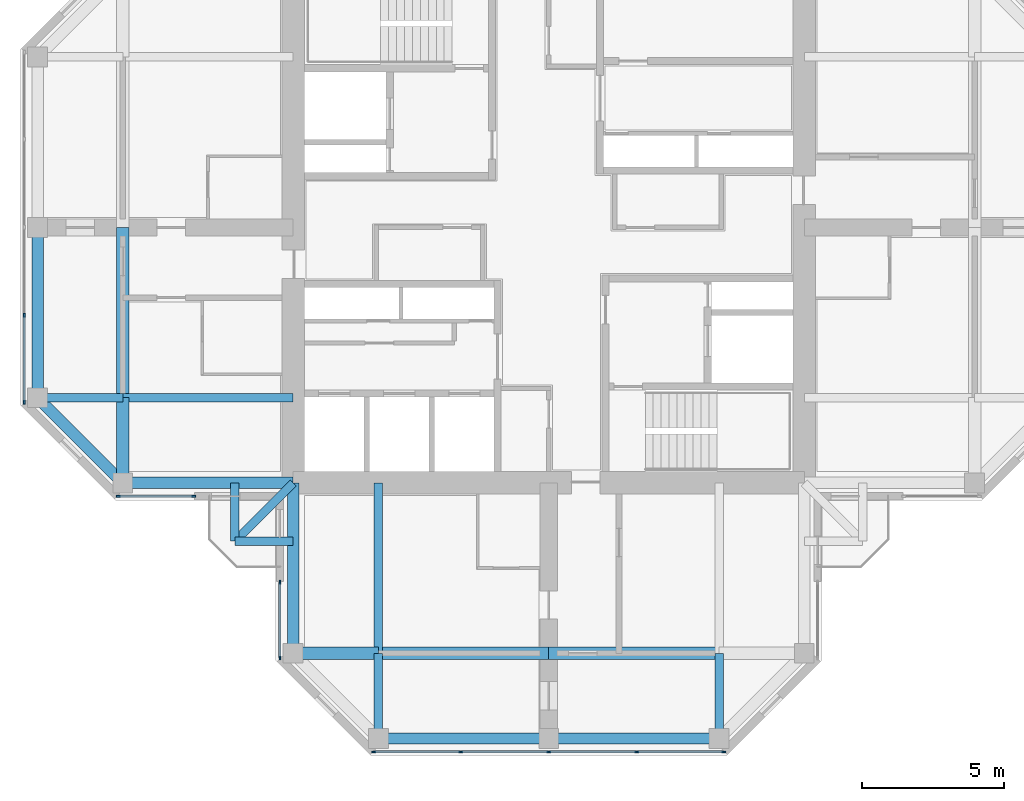
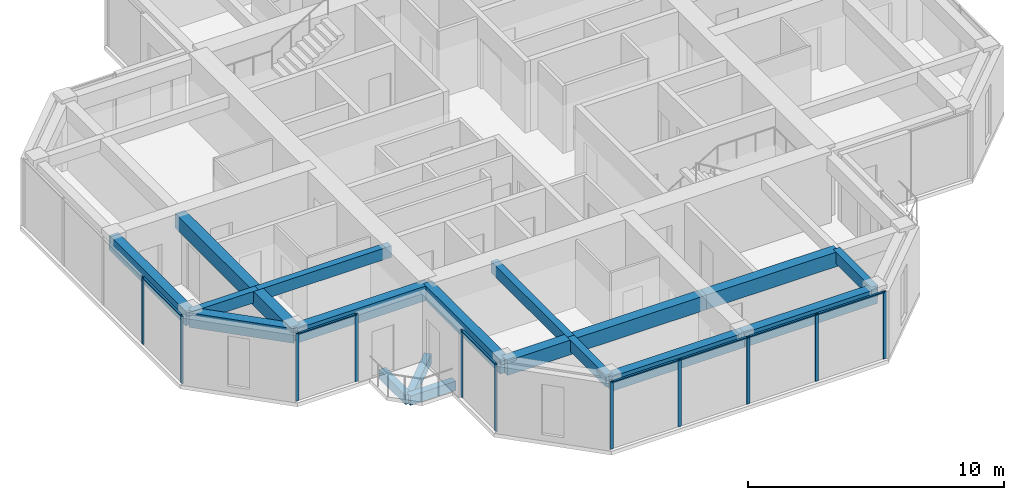
# One storey, part 2 of 13: 19 beams, 18 members, 4 elements without a shape of their own.
"""IFC4 building model written with IfcOpenShell, lengths in metres."""

from ifc_helpers import new_model, si_unit, direction, frame, origin, origin_2d, place, context, subcontext, project, spatial, rectangle, extrude, material, material_profile, profile_set, type_object, element, aggregate, save


model = new_model("IFC4")

# Units and contexts
model_context = context("Model", 3, precision=1e-05, world=origin(), true_north=direction((0.0, 1.0)))
body_context = subcontext(model_context, "Body", "Model", "MODEL_VIEW")
ifc_project = project(units=[si_unit("LENGTHUNIT", "METRE"), si_unit("AREAUNIT", "SQUARE_METRE"), si_unit("VOLUMEUNIT", "CUBIC_METRE"), si_unit("PLANEANGLEUNIT", "RADIAN"), si_unit("MASSUNIT", "GRAM", prefix="KILO")], contexts=[model_context])

# Site, building, storey
site_placement = place(None, origin())
site = spatial("IfcSite", under=ifc_project, at=site_placement, CompositionType="ELEMENT")
building_placement = place(site_placement, origin())
building = spatial("IfcBuilding", under=site, at=building_placement, Name="Torre Cruceta", CompositionType="ELEMENT")
storey_placement = place(building_placement, frame((0.0, 0.0, 271.300048828125)))
storey = spatial("IfcBuildingStorey", under=building, at=storey_placement, Name="L70", CompositionType="ELEMENT", Elevation=271.300048828125)

# Beams
ifc_material_1 = material(Name="Concrete G60 (fck 60 MPa)", Category="concrete")
ifc_material_profile_1 = material_profile(ifc_material_1, rectangle(XDim=0.300048828125, YDim=0.449951171875, at=origin_2d()), Name="RC 300X450")
ifc_profile_set_1 = profile_set([ifc_material_profile_1], Name="Concrete G60 (fck 60 MPa)")
beam_type_1 = type_object("IfcBeamType", Name="BALCONY CANTILEVER BEAM RC 300X450", PredefinedType="BEAM", material=ifc_profile_set_1)
beam_1_placement = place(storey_placement, frame((-9.0, -9.0, -0.405029296875), z_axis=(-0.707106781187, -0.707106781187, 0.0), x_axis=(0.707106781187, -0.707106781187, 0.0)))
element("IfcBeam", 1, at=beam_1_placement, inside=storey, type_object=beam_type_1, Name="BB1 balcony beam L70 W", PredefinedType="BEAM", context=body_context, shape_type="SweptSolid", body=[
    extrude(rectangle(XDim=0.300048828125, YDim=0.449951171875, at=origin_2d()), origin(), (0.0, 0.0, 1.0), 2.89990234375),
])
for number, where, z_axis, x_axis, name in (
    (2, (-11.050537109375, -9.0, -0.405029296875), (0.0, -1.0, 0.0), (1.0, 0.0, 0.0), "BB1 balcony edge beam L70 W-X"),
    (3, (-9.0, -11.050537109375, -0.405029296875), (-1.0, 0.0, 0.0), (0.0, -1.0, 0.0), "BB1 balcony edge beam L70 W-Y"),
):
    element("IfcBeam", number, at=place(storey_placement, frame(where, z_axis=z_axis, x_axis=x_axis)), inside=storey, type_object=beam_type_1, Name=name, PredefinedType="BEAM", context=body_context, shape_type="SweptSolid", body=[
        extrude(rectangle(XDim=0.300048828125, YDim=0.449951171875, at=origin_2d()), origin(), (0.0, 0.0, 1.0), 2.050537109375),
    ])
ifc_material_2 = material(Name="Concrete G60 (fck 60 MPa)", Category="concrete")
ifc_material_profile_2 = material_profile(ifc_material_2, rectangle(XDim=0.300048828125, YDim=0.550048828125, at=origin_2d()), Name="RC 300X550")
ifc_profile_set_2 = profile_set([ifc_material_profile_2], Name="Concrete G60 (fck 60 MPa)")
beam_type_2 = type_object("IfcBeamType", Name="COLUMN LINE BEAM RC 300X550", PredefinedType="BEAM", material=ifc_profile_set_2)
beam_2_placement = place(storey_placement, frame((-6.0, -9.0, 2.945068359375), z_axis=(0.0, -1.0, 0.0), x_axis=(1.0, 0.0, 0.0)))
element("IfcBeam", 4, at=beam_2_placement, inside=storey, type_object=beam_type_2, Name="LB10 L70 S col- 1", PredefinedType="BEAM", context=body_context, shape_type="SweptSolid", body=[
    extrude(rectangle(XDim=0.300048828125, YDim=0.550048828125, at=origin_2d()), origin(), (0.0, 0.0, 1.0), 6.0),
])
for number, where, z_axis, x_axis, name in (
    (5, (-6.0, -15.0, 2.945068359375), (0.0, -1.0, 0.0), (1.0, 0.0, 0.0), "LB10 L70 S col- 2"),
    (6, (6.0, -15.0, 2.945068359375), (0.0, -1.0, 0.0), (1.0, 0.0, 0.0), "LB10 L70 S col+ 2"),
):
    element("IfcBeam", number, at=place(storey_placement, frame(where, z_axis=z_axis, x_axis=x_axis)), inside=storey, type_object=beam_type_2, Name=name, PredefinedType="BEAM", context=body_context, shape_type="SweptSolid", body=[
        extrude(rectangle(XDim=0.300048828125, YDim=0.550048828125, at=origin_2d()), origin(), (0.0, 0.0, 1.0), 3.0),
    ])
beam_3_placement = place(storey_placement, frame((-9.0, -6.0, 2.945068359375), z_axis=(-1.0, 0.0, 0.0), x_axis=(0.0, -1.0, 0.0)))
element("IfcBeam", 7, at=beam_3_placement, inside=storey, type_object=beam_type_2, Name="LB10 L70 W col+ 1", PredefinedType="BEAM", context=body_context, shape_type="SweptSolid", body=[
    extrude(rectangle(XDim=0.300048828125, YDim=0.550048828125, at=origin_2d()), origin(), (0.0, 0.0, 1.0), 6.0),
])
beam_4_placement = place(storey_placement, frame((-15.0, -6.0, 2.945068359375), z_axis=(-1.0, 0.0, 0.0), x_axis=(0.0, -1.0, 0.0)))
element("IfcBeam", 8, at=beam_4_placement, inside=storey, type_object=beam_type_2, Name="LB10 L70 W col+ 2", PredefinedType="BEAM", context=body_context, shape_type="SweptSolid", body=[
    extrude(rectangle(XDim=0.300048828125, YDim=0.550048828125, at=origin_2d()), origin(), (0.0, 0.0, 1.0), 3.0),
])
ifc_material_3 = material(Name="Concrete G60 (fck 60 MPa)", Category="concrete")
ifc_material_profile_3 = material_profile(ifc_material_3, rectangle(XDim=0.449951171875, YDim=0.699951171875, at=origin_2d()), Name="RC 450X700")
ifc_profile_set_3 = profile_set([ifc_material_profile_3], Name="Concrete G60 (fck 60 MPa)")
beam_type_3 = type_object("IfcBeamType", Name="CROSS BEAM RC 450X700", PredefinedType="BEAM", material=ifc_profile_set_3)
beam_5_placement = place(storey_placement, frame((-9.0, -15.0, 2.869873046875), z_axis=(1.0, 0.0, 0.0), x_axis=(0.0, 1.0, 0.0)))
element("IfcBeam", 9, at=beam_5_placement, inside=storey, type_object=beam_type_3, Name="GB8 L70 S cross15 1", PredefinedType="BEAM", context=body_context, shape_type="SweptSolid", body=[
    extrude(rectangle(XDim=0.449951171875, YDim=0.699951171875, at=origin_2d()), origin(), (0.0, 0.0, 1.0), 3.0),
])
for number, where, z_axis, x_axis, name in (
    (10, (-6.0, -15.0, 2.869873046875), (1.0, 0.0, 0.0), (0.0, 1.0, 0.0), "GB8 L70 S cross15 2"),
    (11, (0.0, -15.0, 2.869873046875), (1.0, 0.0, 0.0), (0.0, 1.0, 0.0), "GB8 L70 S cross15 3"),
    (12, (-15.0, 0.0, 2.869873046875), (0.0, -1.0, 0.0), (1.0, 0.0, 0.0), "GB8 L70 W cross15 3"),
):
    element("IfcBeam", number, at=place(storey_placement, frame(where, z_axis=z_axis, x_axis=x_axis)), inside=storey, type_object=beam_type_3, Name=name, PredefinedType="BEAM", context=body_context, shape_type="SweptSolid", body=[
        extrude(rectangle(XDim=0.449951171875, YDim=0.699951171875, at=origin_2d()), origin(), (0.0, 0.0, 1.0), 6.0),
    ])
beam_6_placement = place(storey_placement, frame((-15.0, -6.0, 2.869873046875), z_axis=(0.0, -1.0, 0.0), x_axis=(1.0, 0.0, 0.0)))
element("IfcBeam", 13, at=beam_6_placement, inside=storey, type_object=beam_type_3, Name="GB8 L70 W cross15 4", PredefinedType="BEAM", context=body_context, shape_type="SweptSolid", body=[
    extrude(rectangle(XDim=0.449951171875, YDim=0.699951171875, at=origin_2d()), origin(), (0.0, 0.0, 1.0), 3.0),
])

# Curtain wall, members
ifc_material_4 = material(Name="Aluminium unitised curtain wall", Category="aluminium")
curtain_wall_type = type_object("IfcCurtainWallType", Name="CURTAIN WALL CW-E CO-LIVING TOP", PredefinedType="USERDEFINED", material=ifc_material_4)
curtain_wall_1_placement = place(storey_placement, origin())
curtain_wall_1 = element("IfcCurtainWall", 14, at=curtain_wall_1_placement, inside=storey, type_object=curtain_wall_type, Name="CW-E L70 W tip 12", ObjectType="UNITISED", PredefinedType="USERDEFINED")
ifc_material_5 = material(Name="Aluminium mullion", Category="aluminium")
ifc_material_profile_4 = material_profile(ifc_material_5, rectangle(XDim=0.054931640625, YDim=0.139892578125, at=origin_2d()), Name="AL 55X140")
ifc_profile_set_4 = profile_set([ifc_material_profile_4], Name="Aluminium mullion")
member_type_1 = type_object("IfcMemberType", Name="CW-E MULLION 55X140", PredefinedType="MULLION", material=ifc_profile_set_4)
member_1_placement = place(storey_placement, frame((-18.469970703125, -3.097412109375, 0.0), z_axis=(0.0, 0.0, 1.0), x_axis=(1.0, 0.0, 0.0)))
member_1 = element("IfcMember", 15, at=member_1_placement, type_object=member_type_1, Name="CW-E mullion 4", PredefinedType="MULLION", context=body_context, shape_type="SweptSolid", body=[
    extrude(rectangle(XDim=0.054931640625, YDim=0.139892578125, at=origin_2d()), origin(), (0.0, 0.0, 1.0), 3.219970703125),
])
member_2_placement = place(storey_placement, frame((-18.469970703125, -6.167236328125, 0.0), z_axis=(0.0, 0.0, 1.0), x_axis=(1.0, 0.0, 0.0)))
member_2 = element("IfcMember", 16, at=member_2_placement, type_object=member_type_1, Name="CW-E mullion 5", PredefinedType="MULLION", context=body_context, shape_type="SweptSolid", body=[
    extrude(rectangle(XDim=0.054931640625, YDim=0.139892578125, at=origin_2d()), origin(), (0.0, 0.0, 1.0), 3.219970703125),
])

curtain_wall_2_placement = place(storey_placement, origin())
curtain_wall_2 = element("IfcCurtainWall", 17, at=curtain_wall_2_placement, inside=storey, type_object=curtain_wall_type, Name="CW-E L70 W side 14", ObjectType="UNITISED", PredefinedType="USERDEFINED")
member_3_placement = place(storey_placement, frame((-15.167236328125, -9.469970703125, 0.0), z_axis=(0.0, 0.0, 1.0), x_axis=(0.0, 1.0, 0.0)))
member_3 = element("IfcMember", 18, at=member_3_placement, type_object=member_type_1, Name="CW-E mullion 1", PredefinedType="MULLION", context=body_context, shape_type="SweptSolid", body=[
    extrude(rectangle(XDim=0.054931640625, YDim=0.139892578125, at=origin_2d()), origin(), (0.0, 0.0, 1.0), 3.219970703125),
])
member_4_placement = place(storey_placement, frame((-12.49755859375, -9.469970703125, 0.0), z_axis=(0.0, 0.0, 1.0), x_axis=(0.0, 1.0, 0.0)))
member_4 = element("IfcMember", 19, at=member_4_placement, type_object=member_type_1, Name="CW-E mullion 2", PredefinedType="MULLION", context=body_context, shape_type="SweptSolid", body=[
    extrude(rectangle(XDim=0.054931640625, YDim=0.139892578125, at=origin_2d()), origin(), (0.0, 0.0, 1.0), 3.219970703125),
])

curtain_wall_3_placement = place(storey_placement, origin())
curtain_wall_3 = element("IfcCurtainWall", 20, at=curtain_wall_3_placement, inside=storey, type_object=curtain_wall_type, Name="CW-E L70 S side 15", ObjectType="UNITISED", PredefinedType="USERDEFINED")
member_5_placement = place(storey_placement, frame((-9.469970703125, -12.49755859375, 0.0), z_axis=(0.0, 0.0, 1.0), x_axis=(1.0, 0.0, 0.0)))
member_5 = element("IfcMember", 21, at=member_5_placement, type_object=member_type_1, Name="CW-E mullion 1", PredefinedType="MULLION", context=body_context, shape_type="SweptSolid", body=[
    extrude(rectangle(XDim=0.054931640625, YDim=0.139892578125, at=origin_2d()), origin(), (0.0, 0.0, 1.0), 3.219970703125),
])
member_6_placement = place(storey_placement, frame((-9.469970703125, -15.167236328125, 0.0), z_axis=(0.0, 0.0, 1.0), x_axis=(1.0, 0.0, 0.0)))
member_6 = element("IfcMember", 22, at=member_6_placement, type_object=member_type_1, Name="CW-E mullion 2", PredefinedType="MULLION", context=body_context, shape_type="SweptSolid", body=[
    extrude(rectangle(XDim=0.054931640625, YDim=0.139892578125, at=origin_2d()), origin(), (0.0, 0.0, 1.0), 3.219970703125),
])

curtain_wall_4_placement = place(storey_placement, origin())
curtain_wall_4 = element("IfcCurtainWall", 23, at=curtain_wall_4_placement, inside=storey, type_object=curtain_wall_type, Name="CW-E L70 S tip 17", ObjectType="UNITISED", PredefinedType="USERDEFINED")
member_7_placement = place(storey_placement, frame((-6.167236328125, -18.469970703125, 0.0), z_axis=(0.0, 0.0, 1.0), x_axis=(0.0, 1.0, 0.0)))
member_7 = element("IfcMember", 24, at=member_7_placement, type_object=member_type_1, Name="CW-E mullion 1", PredefinedType="MULLION", context=body_context, shape_type="SweptSolid", body=[
    extrude(rectangle(XDim=0.054931640625, YDim=0.139892578125, at=origin_2d()), origin(), (0.0, 0.0, 1.0), 3.219970703125),
])
member_8_placement = place(storey_placement, frame((-3.097412109375, -18.469970703125, 0.0), z_axis=(0.0, 0.0, 1.0), x_axis=(0.0, 1.0, 0.0)))
member_8 = element("IfcMember", 25, at=member_8_placement, type_object=member_type_1, Name="CW-E mullion 2", PredefinedType="MULLION", context=body_context, shape_type="SweptSolid", body=[
    extrude(rectangle(XDim=0.054931640625, YDim=0.139892578125, at=origin_2d()), origin(), (0.0, 0.0, 1.0), 3.219970703125),
])
member_9_placement = place(storey_placement, frame((0.0, -18.469970703125, 0.0), z_axis=(0.0, 0.0, 1.0), x_axis=(0.0, 1.0, 0.0)))
member_9 = element("IfcMember", 26, at=member_9_placement, type_object=member_type_1, Name="CW-E mullion 3", PredefinedType="MULLION", context=body_context, shape_type="SweptSolid", body=[
    extrude(rectangle(XDim=0.054931640625, YDim=0.139892578125, at=origin_2d()), origin(), (0.0, 0.0, 1.0), 3.219970703125),
])
member_10_placement = place(storey_placement, frame((3.097412109375, -18.469970703125, 0.0), z_axis=(0.0, 0.0, 1.0), x_axis=(0.0, 1.0, 0.0)))
member_10 = element("IfcMember", 27, at=member_10_placement, type_object=member_type_1, Name="CW-E mullion 4", PredefinedType="MULLION", context=body_context, shape_type="SweptSolid", body=[
    extrude(rectangle(XDim=0.054931640625, YDim=0.139892578125, at=origin_2d()), origin(), (0.0, 0.0, 1.0), 3.219970703125),
])
member_11_placement = place(storey_placement, frame((6.167236328125, -18.469970703125, 0.0), z_axis=(0.0, 0.0, 1.0), x_axis=(0.0, 1.0, 0.0)))
member_11 = element("IfcMember", 28, at=member_11_placement, type_object=member_type_1, Name="CW-E mullion 5", PredefinedType="MULLION", context=body_context, shape_type="SweptSolid", body=[
    extrude(rectangle(XDim=0.054931640625, YDim=0.139892578125, at=origin_2d()), origin(), (0.0, 0.0, 1.0), 3.219970703125),
])

# Member
ifc_material_6 = material(Name="Aluminium transom", Category="aluminium")
ifc_material_profile_5 = material_profile(ifc_material_6, rectangle(XDim=0.090087890625, YDim=0.054931640625, at=origin_2d()), Name="AL 90X55")
ifc_profile_set_5 = profile_set([ifc_material_profile_5], Name="Aluminium transom")
member_type_2 = type_object("IfcMemberType", Name="CW-E TRANSOM 55X90", PredefinedType="USERDEFINED", material=ifc_profile_set_5)
member_12_placement = place(storey_placement, frame((-18.469970703125, -3.124755859375, 3.1923828125), z_axis=(0.0, -1.0, 0.0), x_axis=(1.0, 0.0, 0.0)))
member_12 = element("IfcMember", 29, at=member_12_placement, type_object=member_type_2, Name="CW-E transom 4", ObjectType="TRANSOM", PredefinedType="USERDEFINED", context=body_context, shape_type="SweptSolid", body=[
    extrude(rectangle(XDim=0.090087890625, YDim=0.054931640625, at=origin_2d()), origin(), (0.0, 0.0, 1.0), 3.014892578125),
])

aggregate(curtain_wall_1, [member_1, member_2, member_12])

member_13_placement = place(storey_placement, frame((-15.1396484375, -9.469970703125, 3.1923828125), z_axis=(1.0, 0.0, 0.0), x_axis=(0.0, 1.0, 0.0)))
member_13 = element("IfcMember", 30, at=member_13_placement, type_object=member_type_2, Name="CW-E transom 1", ObjectType="TRANSOM", PredefinedType="USERDEFINED", context=body_context, shape_type="SweptSolid", body=[
    extrude(rectangle(XDim=0.090087890625, YDim=0.054931640625, at=origin_2d()), origin(), (0.0, 0.0, 1.0), 2.61474609375),
])

aggregate(curtain_wall_2, [member_3, member_4, member_13])

member_14_placement = place(storey_placement, frame((-9.469970703125, -12.52490234375, 3.1923828125), z_axis=(0.0, -1.0, 0.0), x_axis=(1.0, 0.0, 0.0)))
member_14 = element("IfcMember", 31, at=member_14_placement, type_object=member_type_2, Name="CW-E transom 1", ObjectType="TRANSOM", PredefinedType="USERDEFINED", context=body_context, shape_type="SweptSolid", body=[
    extrude(rectangle(XDim=0.090087890625, YDim=0.054931640625, at=origin_2d()), origin(), (0.0, 0.0, 1.0), 2.61474609375),
])

aggregate(curtain_wall_3, [member_5, member_6, member_14])

member_15_placement = place(storey_placement, frame((-6.1396484375, -18.469970703125, 3.1923828125), z_axis=(1.0, 0.0, 0.0), x_axis=(0.0, 1.0, 0.0)))
member_15 = element("IfcMember", 32, at=member_15_placement, type_object=member_type_2, Name="CW-E transom 1", ObjectType="TRANSOM", PredefinedType="USERDEFINED", context=body_context, shape_type="SweptSolid", body=[
    extrude(rectangle(XDim=0.090087890625, YDim=0.054931640625, at=origin_2d()), origin(), (0.0, 0.0, 1.0), 3.014892578125),
])

member_16_placement = place(storey_placement, frame((-3.06982421875, -18.469970703125, 3.1923828125), z_axis=(1.0, 0.0, 0.0), x_axis=(0.0, 1.0, 0.0)))
member_16 = element("IfcMember", 33, at=member_16_placement, type_object=member_type_2, Name="CW-E transom 2", ObjectType="TRANSOM", PredefinedType="USERDEFINED", context=body_context, shape_type="SweptSolid", body=[
    extrude(rectangle(XDim=0.090087890625, YDim=0.054931640625, at=origin_2d()), origin(), (0.0, 0.0, 1.0), 3.042236328125),
])

member_17_placement = place(storey_placement, frame((0.027587890625, -18.469970703125, 3.1923828125), z_axis=(1.0, 0.0, 0.0), x_axis=(0.0, 1.0, 0.0)))
member_17 = element("IfcMember", 34, at=member_17_placement, type_object=member_type_2, Name="CW-E transom 3", ObjectType="TRANSOM", PredefinedType="USERDEFINED", context=body_context, shape_type="SweptSolid", body=[
    extrude(rectangle(XDim=0.090087890625, YDim=0.054931640625, at=origin_2d()), origin(), (0.0, 0.0, 1.0), 3.042236328125),
])

member_18_placement = place(storey_placement, frame((3.124755859375, -18.469970703125, 3.1923828125), z_axis=(1.0, 0.0, 0.0), x_axis=(0.0, 1.0, 0.0)))
member_18 = element("IfcMember", 35, at=member_18_placement, type_object=member_type_2, Name="CW-E transom 4", ObjectType="TRANSOM", PredefinedType="USERDEFINED", context=body_context, shape_type="SweptSolid", body=[
    extrude(rectangle(XDim=0.090087890625, YDim=0.054931640625, at=origin_2d()), origin(), (0.0, 0.0, 1.0), 3.014892578125),
])

aggregate(curtain_wall_4, [member_7, member_8, member_9, member_10, member_11, member_15, member_16, member_17, member_18])

# Beams
ifc_material_7 = material(Name="Concrete G60 (fck 60 MPa)", Category="concrete")
ifc_material_profile_6 = material_profile(ifc_material_7, rectangle(XDim=0.39990234375, YDim=0.699951171875, at=origin_2d()), Name="RC 400X700")
ifc_profile_set_6 = profile_set([ifc_material_profile_6], Name="Concrete G60 (fck 60 MPa)")
beam_type_4 = type_object("IfcBeamType", Name="SPANDREL BEAM RC 400X700", PredefinedType="SPANDREL", material=ifc_profile_set_6)
for number, where, z_axis, x_axis, name in (
    (36, (-9.0, -9.0, 2.869873046875), (0.0, -1.0, 0.0), (1.0, 0.0, 0.0), "SB8 L70 S side- 1"),
    (37, (-6.0, -18.0, 2.869873046875), (1.0, 0.0, 0.0), (0.0, 1.0, 0.0), "SB8 L70 S tip 1"),
    (38, (0.0, -18.0, 2.869873046875), (1.0, 0.0, 0.0), (0.0, 1.0, 0.0), "SB8 L70 S tip 2"),
    (39, (-9.0, -9.0, 2.869873046875), (-1.0, 0.0, 0.0), (0.0, -1.0, 0.0), "SB8 L70 W side+ 1"),
):
    element("IfcBeam", number, at=place(storey_placement, frame(where, z_axis=z_axis, x_axis=x_axis)), inside=storey, type_object=beam_type_4, Name=name, PredefinedType="SPANDREL", context=body_context, shape_type="SweptSolid", body=[
        extrude(rectangle(XDim=0.39990234375, YDim=0.699951171875, at=origin_2d()), origin(), (0.0, 0.0, 1.0), 6.0),
    ])
beam_7_placement = place(storey_placement, frame((-15.0, -9.0, 2.869873046875), z_axis=(-0.707106781187, 0.707106781187, 0.0), x_axis=(-0.707106781187, -0.707106781187, 0.0)))
element("IfcBeam", 40, at=beam_7_placement, inside=storey, type_object=beam_type_4, Name="SB8 L70 W side+ 2", PredefinedType="SPANDREL", context=body_context, shape_type="SweptSolid", body=[
    extrude(rectangle(XDim=0.39990234375, YDim=0.699951171875, at=origin_2d()), origin(), (0.0, 0.0, 1.0), 4.24267578125),
])
beam_8_placement = place(storey_placement, frame((-18.0, 0.0, 2.869873046875), z_axis=(0.0, -1.0, 0.0), x_axis=(1.0, 0.0, 0.0)))
element("IfcBeam", 41, at=beam_8_placement, inside=storey, type_object=beam_type_4, Name="SB8 L70 W tip 2", PredefinedType="SPANDREL", context=body_context, shape_type="SweptSolid", body=[
    extrude(rectangle(XDim=0.39990234375, YDim=0.699951171875, at=origin_2d()), origin(), (0.0, 0.0, 1.0), 6.0),
])

save(model, "model.ifc")
